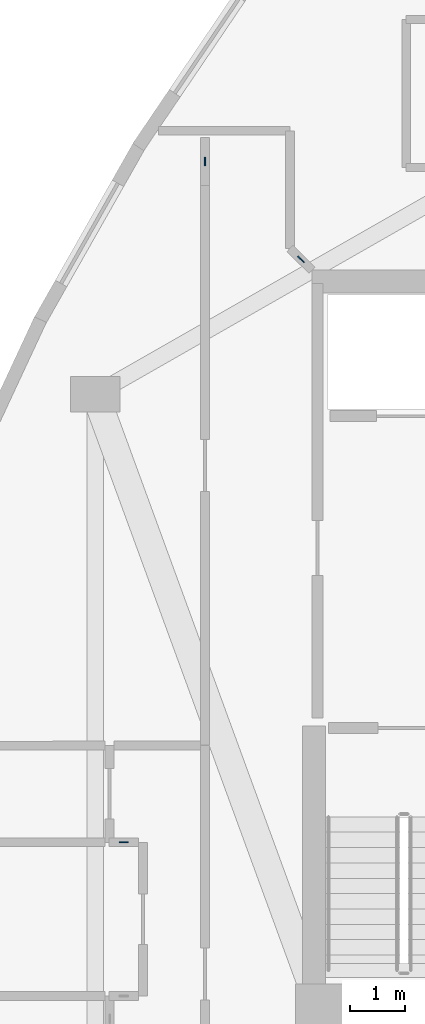
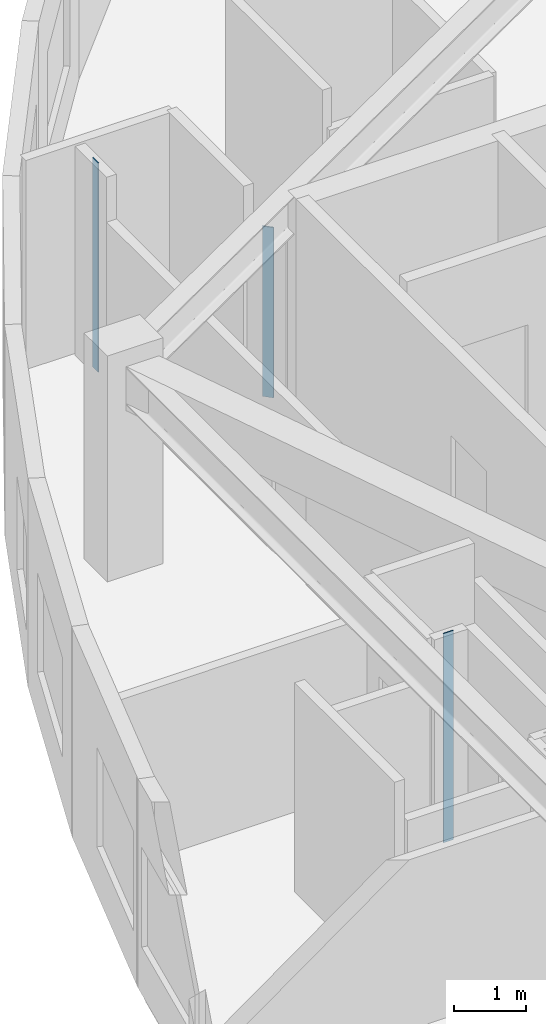
# One storey, part 4 of 13: 3 plates.
"""IFC4 building model written with IfcOpenShell, lengths in metres."""

from ifc_helpers import new_model, si_unit, direction, frame, origin, origin_2d, place, context, subcontext, project, spatial, rectangle, extrude, material, layer, layer_set, type_object, element, save


model = new_model("IFC4")

# Units and contexts
model_context = context("Model", 3, precision=1e-05, world=origin(), true_north=direction((0.0, 1.0)))
body_context = subcontext(model_context, "Body", "Model", "MODEL_VIEW")
ifc_project = project(units=[si_unit("LENGTHUNIT", "METRE"), si_unit("AREAUNIT", "SQUARE_METRE"), si_unit("VOLUMEUNIT", "CUBIC_METRE"), si_unit("PLANEANGLEUNIT", "RADIAN"), si_unit("MASSUNIT", "GRAM", prefix="KILO")], contexts=[model_context])

# Site, building, storey
site_placement = place(None, origin())
site = spatial("IfcSite", under=ifc_project, at=site_placement, CompositionType="ELEMENT")
building_placement = place(site_placement, origin())
building = spatial("IfcBuilding", under=site, at=building_placement, Name="Miruveldt Soraemaru", CompositionType="ELEMENT")
storey_placement = place(building_placement, frame((0.0, 0.0, 259.699951171875)))
storey = spatial("IfcBuildingStorey", under=building, at=storey_placement, Name="L71", CompositionType="ELEMENT", Elevation=259.699951171875)

# Plates
ifc_material = material(Name="Anodised aluminium EN AW-6063 T6", Category="aluminium")
ifc_layer = layer(ifc_material, 0.02001953125, Name="Anodised aluminium EN AW-6063 T6", Category="aluminium")
ifc_layer_set = layer_set([ifc_layer], Name="Anodised aluminium EN AW-6063 T6")
plate_type = type_object("IfcPlateType", Name="PLT-PART-TRIM", PredefinedType="SHEET", material=ifc_layer_set)
plate_1_placement = place(storey_placement, frame((33.39990234375, 54.639892578125, 0.0), z_axis=(0.0, 0.0, 1.0), x_axis=(0.0, -1.0, 0.0)))
element("IfcPlate", 1, at=plate_1_placement, inside=storey, type_object=plate_type, Name="L71 Partition Step Corner Trim Plate 003", PredefinedType="SHEET", context=body_context, shape_type="SweptSolid", body=[
    extrude(rectangle(XDim=0.159912109375, YDim=0.02001953125, at=origin_2d()), origin(), (0.0, 0.0, 1.0), 3.56494140625),
])
plate_2_placement = place(storey_placement, frame((35.14990234375, 52.85791015625, 0.0), z_axis=(0.0, 0.0, 1.0), x_axis=(0.710676697512, -0.703518750008, 0.0)))
element("IfcPlate", 2, at=plate_2_placement, inside=storey, type_object=plate_type, Name="L71 Partition Step Corner Trim Plate 002", PredefinedType="SHEET", context=body_context, shape_type="SweptSolid", body=[
    extrude(rectangle(XDim=0.159912109375, YDim=0.02001953125, at=origin_2d()), origin(), (0.0, 0.0, 1.0), 2.903076171875),
])
plate_3_placement = place(storey_placement, frame((31.922607421875, 42.235107421875, 0.0), z_axis=(0.0, 0.0, 1.0), x_axis=(-1.0, 0.0, 0.0)))
element("IfcPlate", 3, at=plate_3_placement, inside=storey, type_object=plate_type, Name="L71 Partition Step Corner Trim Plate 031", PredefinedType="SHEET", context=body_context, shape_type="SweptSolid", body=[
    extrude(rectangle(XDim=0.159912109375, YDim=0.02001953125, at=origin_2d()), origin(), (0.0, 0.0, 1.0), 3.56494140625),
])

save(model, "model.ifc")
